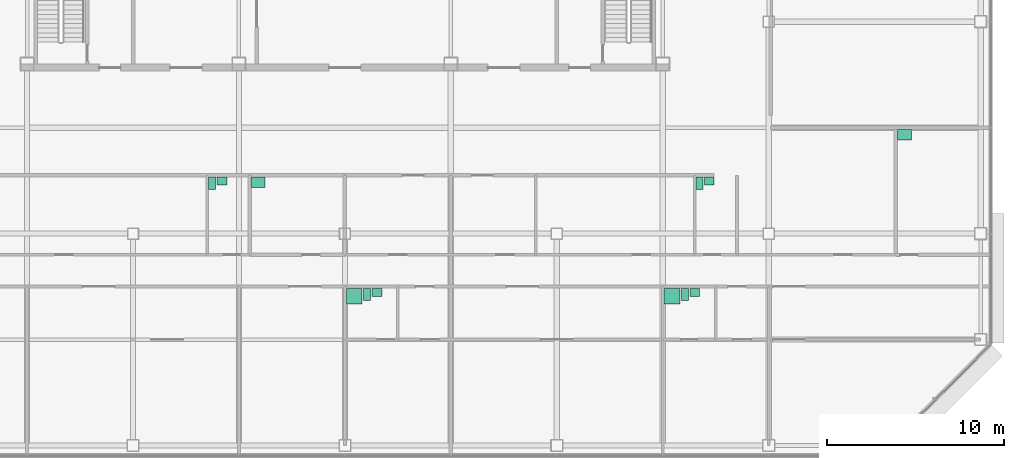
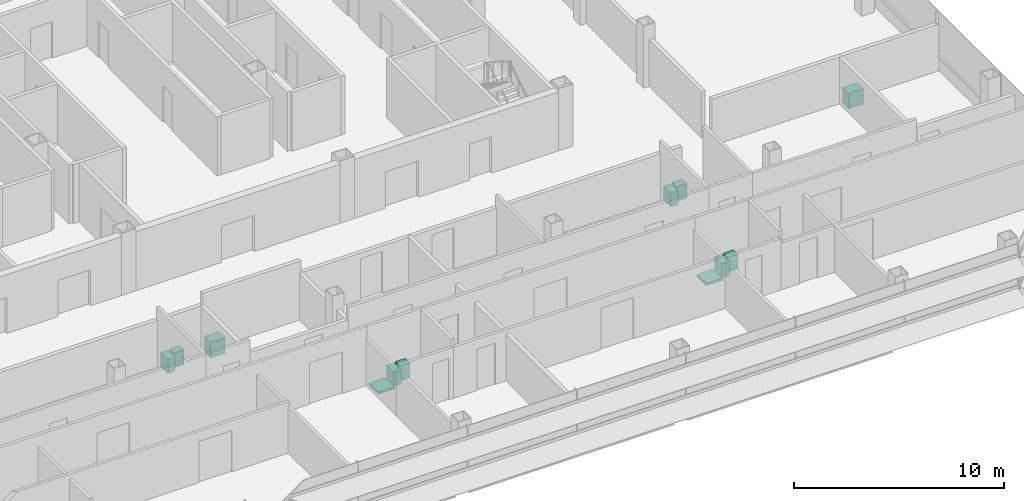
# One storey, part 24 of 24: 12 sanitary terminals.
"""IFC4 building model written with IfcOpenShell, lengths in metres."""

from ifc_helpers import new_model, si_unit, direction, frame, origin, origin_2d, place, context, subcontext, project, spatial, rectangle, extrude, element, save


model = new_model("IFC4")

# Units and contexts
model_context = context("Model", 3, precision=1e-05, world=origin(), true_north=direction((0.0, 1.0)))
body_context = subcontext(model_context, "Body", "Model", "MODEL_VIEW")
ifc_project = project(units=[si_unit("LENGTHUNIT", "METRE"), si_unit("AREAUNIT", "SQUARE_METRE"), si_unit("VOLUMEUNIT", "CUBIC_METRE"), si_unit("PLANEANGLEUNIT", "RADIAN"), si_unit("MASSUNIT", "GRAM", prefix="KILO")], contexts=[model_context])

# Site, building, storey
site_placement = place(None, origin())
site = spatial("IfcSite", under=ifc_project, at=site_placement, CompositionType="ELEMENT")
building_placement = place(site_placement, origin())
building = spatial("IfcBuilding", under=site, at=building_placement, Name="Sorahane Residences", CompositionType="ELEMENT")
storey_placement = place(building_placement, frame((0.0, 0.0, 170.800048828125)))
storey = spatial("IfcBuildingStorey", under=building, at=storey_placement, Name="L39", CompositionType="ELEMENT", Elevation=170.800048828125)

# Sanitary terminals
sanitary_terminal_1_placement = place(storey_placement, frame((24.530029296875, 8.449951171875, 0.0), z_axis=(0.0, 0.0, 1.0), x_axis=(1.0, 0.0, 0.0)))
element("IfcSanitaryTerminal", 1, at=sanitary_terminal_1_placement, inside=storey, Name="Shower tray En-suite bathroom 39A", PredefinedType="SHOWER", context=body_context, shape_type="SweptSolid", body=[
    extrude(rectangle(XDim=0.89990234375, YDim=0.89990234375, at=origin_2d()), origin(), (0.0, 0.0, 1.0), 0.1201171875),
])
sanitary_terminal_2_placement = place(storey_placement, frame((25.260009765625, 8.550048828125, 0.0), z_axis=(0.0, 0.0, 1.0), x_axis=(1.0, 0.0, 0.0)))
element("IfcSanitaryTerminal", 2, at=sanitary_terminal_2_placement, inside=storey, Name="WC pan En-suite bathroom 39A", PredefinedType="TOILETPAN", context=body_context, shape_type="SweptSolid", body=[
    extrude(rectangle(XDim=0.39990234375, YDim=0.699951171875, at=origin_2d()), origin(), (0.0, 0.0, 1.0), 0.800048828125),
])
sanitary_terminal_3_placement = place(storey_placement, frame((25.81494140625, 8.675048828125, 0.0), z_axis=(0.0, 0.0, 1.0), x_axis=(1.0, 0.0, 0.0)))
element("IfcSanitaryTerminal", 3, at=sanitary_terminal_3_placement, inside=storey, Name="Wash basin En-suite bathroom 39A", PredefinedType="WASHHANDBASIN", context=body_context, shape_type="SweptSolid", body=[
    extrude(rectangle(XDim=0.550048828125, YDim=0.449951171875, at=origin_2d()), origin(), (0.0, 0.0, 1.0), 0.85009765625),
])
sanitary_terminal_4_placement = place(storey_placement, frame((16.47998046875, 14.85009765625, 0.0), z_axis=(0.0, 0.0, 1.0), x_axis=(1.0, 0.0, 0.0)))
element("IfcSanitaryTerminal", 4, at=sanitary_terminal_4_placement, inside=storey, Name="WC pan Guest WC 39A", PredefinedType="TOILETPAN", context=body_context, shape_type="SweptSolid", body=[
    extrude(rectangle(XDim=0.39990234375, YDim=0.699951171875, at=origin_2d()), origin(), (0.0, 0.0, 1.0), 0.800048828125),
])
sanitary_terminal_5_placement = place(storey_placement, frame((17.034912109375, 14.97509765625, 0.0), z_axis=(0.0, 0.0, 1.0), x_axis=(1.0, 0.0, 0.0)))
element("IfcSanitaryTerminal", 5, at=sanitary_terminal_5_placement, inside=storey, Name="Wash basin Guest WC 39A", PredefinedType="WASHHANDBASIN", context=body_context, shape_type="SweptSolid", body=[
    extrude(rectangle(XDim=0.550048828125, YDim=0.449951171875, at=origin_2d()), origin(), (0.0, 0.0, 1.0), 0.85009765625),
])
sanitary_terminal_6_placement = place(storey_placement, frame((19.080078125, 14.89990234375, 0.0), z_axis=(0.0, 0.0, 1.0), x_axis=(1.0, 0.0, 0.0)))
element("IfcSanitaryTerminal", 6, at=sanitary_terminal_6_placement, inside=storey, Name="Kitchen sink Kitchen 39A", PredefinedType="SINK", context=body_context, shape_type="SweptSolid", body=[
    extrude(rectangle(XDim=0.800048828125, YDim=0.60009765625, at=origin_2d()), origin(), (0.0, 0.0, 1.0), 0.89990234375),
])
sanitary_terminal_7_placement = place(storey_placement, frame((42.530029296875, 8.449951171875, 0.0), z_axis=(0.0, 0.0, 1.0), x_axis=(1.0, 0.0, 0.0)))
element("IfcSanitaryTerminal", 7, at=sanitary_terminal_7_placement, inside=storey, Name="Shower tray En-suite bathroom 39B", PredefinedType="SHOWER", context=body_context, shape_type="SweptSolid", body=[
    extrude(rectangle(XDim=0.89990234375, YDim=0.89990234375, at=origin_2d()), origin(), (0.0, 0.0, 1.0), 0.1201171875),
])
sanitary_terminal_8_placement = place(storey_placement, frame((43.260009765625, 8.550048828125, 0.0), z_axis=(0.0, 0.0, 1.0), x_axis=(1.0, 0.0, 0.0)))
element("IfcSanitaryTerminal", 8, at=sanitary_terminal_8_placement, inside=storey, Name="WC pan En-suite bathroom 39B", PredefinedType="TOILETPAN", context=body_context, shape_type="SweptSolid", body=[
    extrude(rectangle(XDim=0.39990234375, YDim=0.699951171875, at=origin_2d()), origin(), (0.0, 0.0, 1.0), 0.800048828125),
])
sanitary_terminal_9_placement = place(storey_placement, frame((43.81494140625, 8.675048828125, 0.0), z_axis=(0.0, 0.0, 1.0), x_axis=(1.0, 0.0, 0.0)))
element("IfcSanitaryTerminal", 9, at=sanitary_terminal_9_placement, inside=storey, Name="Wash basin En-suite bathroom 39B", PredefinedType="WASHHANDBASIN", context=body_context, shape_type="SweptSolid", body=[
    extrude(rectangle(XDim=0.550048828125, YDim=0.449951171875, at=origin_2d()), origin(), (0.0, 0.0, 1.0), 0.85009765625),
])
sanitary_terminal_10_placement = place(storey_placement, frame((44.080078125, 14.85009765625, 0.0), z_axis=(0.0, 0.0, 1.0), x_axis=(1.0, 0.0, 0.0)))
element("IfcSanitaryTerminal", 10, at=sanitary_terminal_10_placement, inside=storey, Name="WC pan Guest WC 39B", PredefinedType="TOILETPAN", context=body_context, shape_type="SweptSolid", body=[
    extrude(rectangle(XDim=0.39990234375, YDim=0.699951171875, at=origin_2d()), origin(), (0.0, 0.0, 1.0), 0.800048828125),
])
sanitary_terminal_11_placement = place(storey_placement, frame((44.635009765625, 14.97509765625, 0.0), z_axis=(0.0, 0.0, 1.0), x_axis=(1.0, 0.0, 0.0)))
element("IfcSanitaryTerminal", 11, at=sanitary_terminal_11_placement, inside=storey, Name="Wash basin Guest WC 39B", PredefinedType="WASHHANDBASIN", context=body_context, shape_type="SweptSolid", body=[
    extrude(rectangle(XDim=0.550048828125, YDim=0.449951171875, at=origin_2d()), origin(), (0.0, 0.0, 1.0), 0.85009765625),
])
sanitary_terminal_12_placement = place(storey_placement, frame((55.679931640625, 17.60009765625, 0.0), z_axis=(0.0, 0.0, 1.0), x_axis=(1.0, 0.0, 0.0)))
element("IfcSanitaryTerminal", 12, at=sanitary_terminal_12_placement, inside=storey, Name="Kitchen sink Kitchen 39B", PredefinedType="SINK", context=body_context, shape_type="SweptSolid", body=[
    extrude(rectangle(XDim=0.800048828125, YDim=0.60009765625, at=origin_2d()), origin(), (0.0, 0.0, 1.0), 0.89990234375),
])

save(model, "model.ifc")
